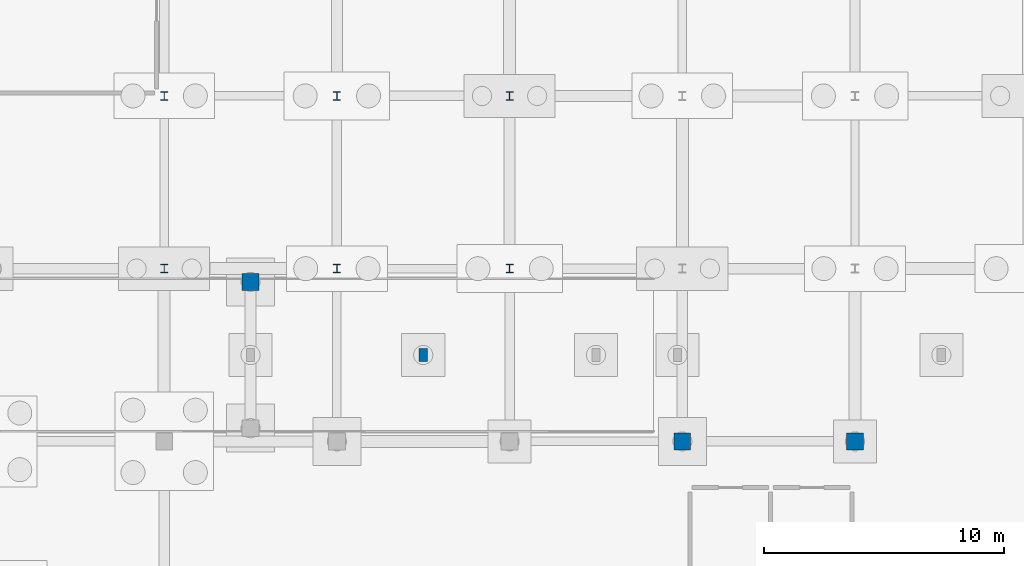
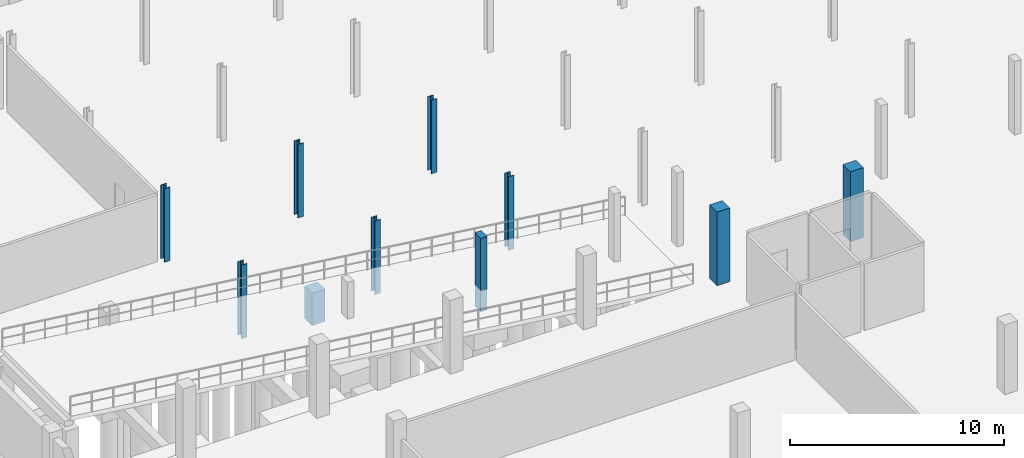
# One storey, part 20 of 56: 10 columns.
"""IFC4 building model written with IfcOpenShell, lengths in metres."""

from ifc_helpers import new_model, si_unit, direction, frame, origin, origin_2d, place, context, subcontext, project, spatial, rectangle, i_section, extrude, material, material_profile, profile_set, type_object, element, save


model = new_model("IFC4")

# Units and contexts
model_context = context("Model", 3, precision=1e-05, world=origin(), true_north=direction((0.0, 1.0)))
body_context = subcontext(model_context, "Body", "Model", "MODEL_VIEW")
ifc_project = project(units=[si_unit("LENGTHUNIT", "METRE"), si_unit("AREAUNIT", "SQUARE_METRE"), si_unit("VOLUMEUNIT", "CUBIC_METRE"), si_unit("PLANEANGLEUNIT", "RADIAN"), si_unit("MASSUNIT", "GRAM", prefix="KILO")], contexts=[model_context])

# Site, building, storey
site_placement = place(None, origin())
site = spatial("IfcSite", under=ifc_project, at=site_placement, CompositionType="ELEMENT")
building_placement = place(site_placement, origin())
building = spatial("IfcBuilding", under=site, at=building_placement, Name="Suanplinth Sawtooth Commons", CompositionType="ELEMENT")
storey_placement = place(building_placement, frame((0.0, 0.0, -4.199951171875)))
storey = spatial("IfcBuildingStorey", under=building, at=storey_placement, Name="B1", CompositionType="ELEMENT", Elevation=-4.199951171875)

# Columns
ifc_material_1 = material(Name="Concrete C40/50", Category="concrete")
ifc_material_profile_1 = material_profile(ifc_material_1, rectangle(XDim=0.699951171875, YDim=0.699951171875, at=origin_2d()), Name="RC-COL 700x700")
ifc_profile_set_1 = profile_set([ifc_material_profile_1], Name="Concrete C40/50")
column_type_1 = type_object("IfcColumnType", Name="C-02", PredefinedType="COLUMN", material=ifc_profile_set_1)
column_1_placement = place(storey_placement, frame((36.0, 43.199951171875, 0.0), z_axis=(0.0, 0.0, 1.0), x_axis=(1.0, 0.0, 0.0)))
element("IfcColumn", 1, at=column_1_placement, inside=storey, type_object=column_type_1, Name="Column B1 6/G", PredefinedType="COLUMN", context=body_context, shape_type="SweptSolid", body=[
    extrude(rectangle(XDim=0.699951171875, YDim=0.699951171875, at=origin_2d()), origin(), (0.0, 0.0, 1.0), 4.199951171875),
])
column_2_placement = place(storey_placement, frame((43.199951171875, 43.199951171875, 0.0), z_axis=(0.0, 0.0, 1.0), x_axis=(1.0, 0.0, 0.0)))
element("IfcColumn", 2, at=column_2_placement, inside=storey, type_object=column_type_1, Name="Column B1 7/G", PredefinedType="COLUMN", context=body_context, shape_type="SweptSolid", body=[
    extrude(rectangle(XDim=0.699951171875, YDim=0.699951171875, at=origin_2d()), origin(), (0.0, 0.0, 1.0), 3.97998046875),
])
column_3_placement = place(storey_placement, frame((18.0, 49.85009765625, 0.0), z_axis=(0.0, 0.0, 1.0), x_axis=(1.0, 0.0, 0.0)))
element("IfcColumn", 3, at=column_3_placement, inside=storey, type_object=column_type_1, Name="Vehicle Ramp Mid-Span RC Pier 2", PredefinedType="COLUMN", context=body_context, shape_type="SweptSolid", body=[
    extrude(rectangle(XDim=0.699951171875, YDim=0.699951171875, at=origin_2d()), origin(), (0.0, 0.0, 1.0), 1.83984375),
])
ifc_material_2 = material(Name="Steel S355JR", Category="steel")
ifc_material_profile_2 = material_profile(ifc_material_2, i_section(OverallWidth=0.300048828125, OverallDepth=0.360107421875, WebThickness=0.012451171875, FlangeThickness=0.0224609375, at=origin_2d()), Name="HEB 360")
ifc_profile_set_2 = profile_set([ifc_material_profile_2], Name="Steel S355JR")
column_type_2 = type_object("IfcColumnType", Name="C-10", PredefinedType="COLUMN", material=ifc_profile_set_2)
for number, where, z_axis, x_axis, name in (
    (4, (14.39990234375, 50.39990234375, 0.0), (0.0, 0.0, 1.0), (1.0, 0.0, 0.0), "Column B1 3/H"),
    (5, (14.39990234375, 57.60009765625, 0.0), (0.0, 0.0, 1.0), (1.0, 0.0, 0.0), "Column B1 3/J"),
    (6, (21.60009765625, 50.39990234375, 0.0), (0.0, 0.0, 1.0), (1.0, 0.0, 0.0), "Column B1 4/H"),
    (7, (21.60009765625, 57.60009765625, 0.0), (0.0, 0.0, 1.0), (1.0, 0.0, 0.0), "Column B1 4/J"),
    (8, (28.800048828125, 50.39990234375, 0.0), (0.0, 0.0, 1.0), (1.0, 0.0, 0.0), "Column B1 5/H"),
    (9, (28.800048828125, 57.60009765625, 0.0), (0.0, 0.0, 1.0), (1.0, 0.0, 0.0), "Column B1 5/J"),
):
    element("IfcColumn", number, at=place(storey_placement, frame(where, z_axis=z_axis, x_axis=x_axis)), inside=storey, type_object=column_type_2, Name=name, PredefinedType="COLUMN", context=body_context, shape_type="SweptSolid", body=[
        extrude(i_section(OverallWidth=0.300048828125, OverallDepth=0.360107421875, WebThickness=0.012451171875, FlangeThickness=0.0224609375, at=origin_2d()), origin(), (0.0, 0.0, 1.0), 4.199951171875),
    ])
ifc_material_3 = material(Name="Precast concrete C40/50", Category="concrete")
ifc_material_profile_3 = material_profile(ifc_material_3, rectangle(XDim=0.35009765625, YDim=0.550048828125, at=origin_2d()), Name="PC-PIL 350x550")
ifc_profile_set_3 = profile_set([ifc_material_profile_3], Name="Precast concrete C40/50")
column_type_3 = type_object("IfcColumnType", Name="C-13", PredefinedType="PILASTER", material=ifc_profile_set_3)
column_4_placement = place(storey_placement, frame((25.199951171875, 46.800048828125, 0.0), z_axis=(0.0, 0.0, 1.0), x_axis=(1.0, 0.0, 0.0)))
element("IfcColumn", 10, at=column_4_placement, inside=storey, type_object=column_type_3, Name="Veranda Colonnade Pilaster B1 P2", PredefinedType="PILASTER", context=body_context, shape_type="SweptSolid", body=[
    extrude(rectangle(XDim=0.35009765625, YDim=0.550048828125, at=origin_2d()), origin(), (0.0, 0.0, 1.0), 4.199951171875),
])

save(model, "model.ifc")
